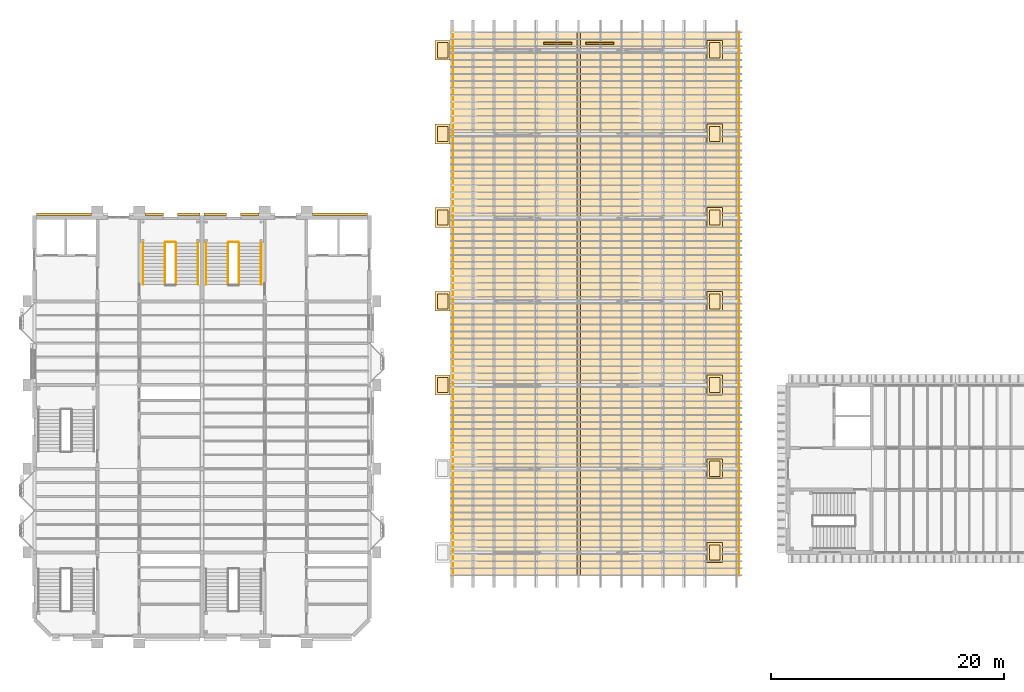
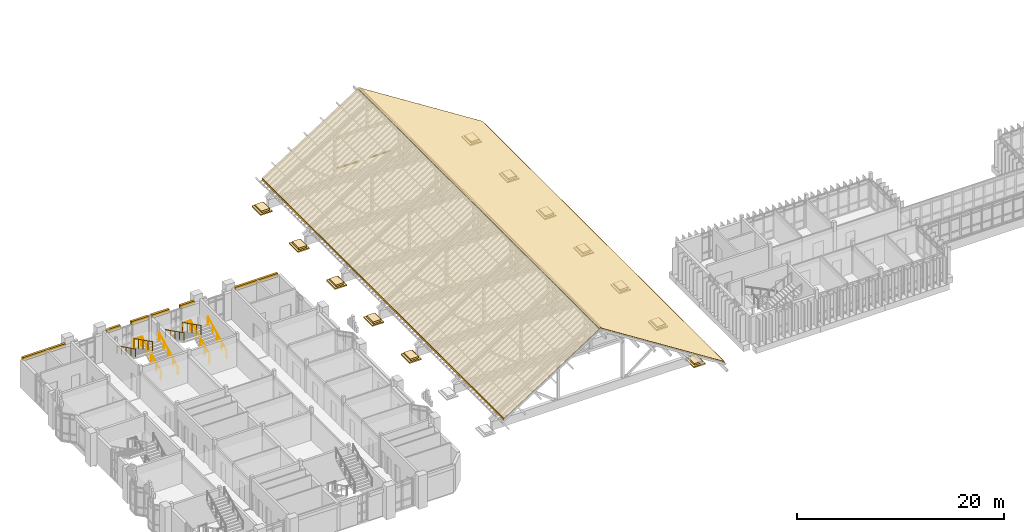
# One storey, part 63 of 71: 37 coverings, 10 railings.
"""IFC4 building model written with IfcOpenShell, lengths in metres."""

from ifc_helpers import new_model, si_unit, direction, frame, origin, origin_2d, place, context, subcontext, project, spatial, polyline, rectangle, circle, outline, extrude, material, layer, layer_set, type_object, element, save


model = new_model("IFC4")

# Units and contexts
model_context = context("Model", 3, precision=1e-05, world=origin(), true_north=direction((0.0, 1.0)))
body_context = subcontext(model_context, "Body", "Model", "MODEL_VIEW")
ifc_project = project(units=[si_unit("LENGTHUNIT", "METRE"), si_unit("AREAUNIT", "SQUARE_METRE"), si_unit("VOLUMEUNIT", "CUBIC_METRE"), si_unit("PLANEANGLEUNIT", "RADIAN"), si_unit("MASSUNIT", "GRAM", prefix="KILO")], contexts=[model_context])

# Site, building, storey
site_placement = place(None, origin())
site = spatial("IfcSite", under=ifc_project, at=site_placement, CompositionType="ELEMENT")
building_placement = place(site_placement, origin())
building = spatial("IfcBuilding", under=site, at=building_placement, Name="Mazhai Court Health Centre", CompositionType="ELEMENT")
storey_placement = place(building_placement, frame((0.0, 0.0, 10.199951171875)))
storey = spatial("IfcBuildingStorey", under=building, at=storey_placement, Name="L02", CompositionType="ELEMENT", Elevation=10.199951171875)

# Coverings
ifc_material_1 = material(Name="Clay brick masonry", Category="masonry")
ifc_layer_1 = layer(ifc_material_1, 0.25)
ifc_layer_set_1 = layer_set([ifc_layer_1], Name="BRICK BAND 250")
covering_type_1 = type_object("IfcCoveringType", Name="BRICK BAND 250", PredefinedType="MOLDING", material=ifc_layer_set_1)
covering_1_placement = place(storey_placement, frame((0.0, 0.0, 2.949951171875)))
element("IfcCovering", 1, at=covering_1_placement, inside=storey, type_object=covering_type_1, Name="EB-V2-L02-Ep0-0", PredefinedType="MOLDING", context=body_context, shape_type="SweptSolid", body=[
    extrude(outline(polyline([(6.364990234375, 42.364990234375), (11.10009765625, 42.364990234375), (11.10009765625, 42.614990234375), (6.364990234375, 42.614990234375), (6.364990234375, 42.364990234375)])), origin(), (0.0, 0.0, 1.0), 0.400146484375),
])
covering_2_placement = place(storey_placement, frame((0.0, 0.0, 2.949951171875)))
element("IfcCovering", 2, at=covering_2_placement, inside=storey, type_object=covering_type_1, Name="EB-V2-L02-Ep1-1", PredefinedType="MOLDING", context=body_context, shape_type="SweptSolid", body=[
    extrude(outline(polyline([(15.699951171875, 42.364990234375), (17.280029296875, 42.364990234375), (17.280029296875, 42.614990234375), (15.699951171875, 42.614990234375), (15.699951171875, 42.364990234375)])), origin(), (0.0, 0.0, 1.0), 0.400146484375),
])
covering_3_placement = place(storey_placement, frame((0.0, 0.0, 2.949951171875)))
element("IfcCovering", 3, at=covering_3_placement, inside=storey, type_object=covering_type_1, Name="EB-V2-L02-Ep2-0", PredefinedType="MOLDING", context=body_context, shape_type="SweptSolid", body=[
    extrude(outline(polyline([(18.47998046875, 42.364990234375), (20.43505859375, 42.364990234375), (20.43505859375, 42.614990234375), (18.47998046875, 42.614990234375), (18.47998046875, 42.364990234375)])), origin(), (0.0, 0.0, 1.0), 0.400146484375),
])
covering_4_placement = place(storey_placement, frame((0.0, 0.0, 2.949951171875)))
element("IfcCovering", 4, at=covering_4_placement, inside=storey, type_object=covering_type_1, Name="EB-V5-L02-Ep0-0", PredefinedType="MOLDING", context=body_context, shape_type="SweptSolid", body=[
    extrude(outline(polyline([(20.764892578125, 42.364990234375), (22.719970703125, 42.364990234375), (22.719970703125, 42.614990234375), (20.764892578125, 42.614990234375), (20.764892578125, 42.364990234375)])), origin(), (0.0, 0.0, 1.0), 0.400146484375),
])
covering_5_placement = place(storey_placement, frame((0.0, 0.0, 2.949951171875)))
element("IfcCovering", 5, at=covering_5_placement, inside=storey, type_object=covering_type_1, Name="EB-V5-L02-Ep1-0", PredefinedType="MOLDING", context=body_context, shape_type="SweptSolid", body=[
    extrude(outline(polyline([(23.919921875, 42.364990234375), (25.5, 42.364990234375), (25.5, 42.614990234375), (23.919921875, 42.614990234375), (23.919921875, 42.364990234375)])), origin(), (0.0, 0.0, 1.0), 0.400146484375),
])
covering_6_placement = place(storey_placement, frame((0.0, 0.0, 2.949951171875)))
element("IfcCovering", 6, at=covering_6_placement, inside=storey, type_object=covering_type_1, Name="EB-V5-L02-Ep2-1", PredefinedType="MOLDING", context=body_context, shape_type="SweptSolid", body=[
    extrude(outline(polyline([(30.10009765625, 42.364990234375), (34.8349609375, 42.364990234375), (34.8349609375, 42.614990234375), (30.10009765625, 42.614990234375), (30.10009765625, 42.364990234375)])), origin(), (0.0, 0.0, 1.0), 0.400146484375),
])
ifc_material_2 = material(Name="Clay brick masonry", Category="masonry")
ifc_layer_2 = layer(ifc_material_2, 0.14990234375)
ifc_layer_set_2 = layer_set([ifc_layer_2], Name="BRICK BUTTRESS CAP 150")
covering_type_2 = type_object("IfcCoveringType", Name="BRICK BUTTRESS CAP 150", PredefinedType="MOLDING", material=ifc_layer_set_2)
covering_7_placement = place(storey_placement, origin())
element("IfcCovering", 7, at=covering_7_placement, inside=storey, type_object=covering_type_2, Name="EC-V1-W2-0", PredefinedType="MOLDING", context=body_context, shape_type="SweptSolid", body=[
    extrude(outline(polyline([(41.93994140625, 26.949951171875), (41.93994140625, 28.64990234375), (40.639892578125, 28.64990234375), (40.639892578125, 26.949951171875), (41.93994140625, 26.949951171875)])), origin(), (0.0, 0.0, 1.0), 0.150146484375),
])
covering_8_placement = place(storey_placement, frame((0.0, 0.0, 0.150146484375)))
element("IfcCovering", 8, at=covering_8_placement, inside=storey, type_object=covering_type_2, Name="EC-V1-W2-1", PredefinedType="MOLDING", context=body_context, shape_type="SweptSolid", body=[
    extrude(outline(polyline([(41.739990234375, 27.14990234375), (41.739990234375, 28.449951171875), (40.840087890625, 28.449951171875), (40.840087890625, 27.14990234375), (41.739990234375, 27.14990234375)])), origin(), (0.0, 0.0, 1.0), 0.199951171875),
])
covering_9_placement = place(storey_placement, origin())
element("IfcCovering", 9, at=covering_9_placement, inside=storey, type_object=covering_type_2, Name="EC-V1-W3-0", PredefinedType="MOLDING", context=body_context, shape_type="SweptSolid", body=[
    extrude(outline(polyline([(41.93994140625, 34.14990234375), (41.93994140625, 35.85009765625), (40.639892578125, 35.85009765625), (40.639892578125, 34.14990234375), (41.93994140625, 34.14990234375)])), origin(), (0.0, 0.0, 1.0), 0.150146484375),
])
covering_10_placement = place(storey_placement, frame((0.0, 0.0, 0.150146484375)))
element("IfcCovering", 10, at=covering_10_placement, inside=storey, type_object=covering_type_2, Name="EC-V1-W3-1", PredefinedType="MOLDING", context=body_context, shape_type="SweptSolid", body=[
    extrude(outline(polyline([(41.739990234375, 34.35009765625), (41.739990234375, 35.64990234375), (40.840087890625, 35.64990234375), (40.840087890625, 34.35009765625), (41.739990234375, 34.35009765625)])), origin(), (0.0, 0.0, 1.0), 0.199951171875),
])
covering_11_placement = place(storey_placement, origin())
element("IfcCovering", 11, at=covering_11_placement, inside=storey, type_object=covering_type_2, Name="EC-V1-W4-0", PredefinedType="MOLDING", context=body_context, shape_type="SweptSolid", body=[
    extrude(outline(polyline([(41.93994140625, 41.35009765625), (41.93994140625, 43.050048828125), (40.639892578125, 43.050048828125), (40.639892578125, 41.35009765625), (41.93994140625, 41.35009765625)])), origin(), (0.0, 0.0, 1.0), 0.150146484375),
])
covering_12_placement = place(storey_placement, frame((0.0, 0.0, 0.150146484375)))
element("IfcCovering", 12, at=covering_12_placement, inside=storey, type_object=covering_type_2, Name="EC-V1-W4-1", PredefinedType="MOLDING", context=body_context, shape_type="SweptSolid", body=[
    extrude(outline(polyline([(41.739990234375, 41.550048828125), (41.739990234375, 42.85009765625), (40.840087890625, 42.85009765625), (40.840087890625, 41.550048828125), (41.739990234375, 41.550048828125)])), origin(), (0.0, 0.0, 1.0), 0.199951171875),
])
covering_13_placement = place(storey_placement, origin())
element("IfcCovering", 13, at=covering_13_placement, inside=storey, type_object=covering_type_2, Name="EC-V1-W5-0", PredefinedType="MOLDING", context=body_context, shape_type="SweptSolid", body=[
    extrude(outline(polyline([(41.93994140625, 48.550048828125), (41.93994140625, 50.25), (40.639892578125, 50.25), (40.639892578125, 48.550048828125), (41.93994140625, 48.550048828125)])), origin(), (0.0, 0.0, 1.0), 0.150146484375),
])
covering_14_placement = place(storey_placement, frame((0.0, 0.0, 0.150146484375)))
element("IfcCovering", 14, at=covering_14_placement, inside=storey, type_object=covering_type_2, Name="EC-V1-W5-1", PredefinedType="MOLDING", context=body_context, shape_type="SweptSolid", body=[
    extrude(outline(polyline([(41.739990234375, 48.75), (41.739990234375, 50.050048828125), (40.840087890625, 50.050048828125), (40.840087890625, 48.75), (41.739990234375, 48.75)])), origin(), (0.0, 0.0, 1.0), 0.199951171875),
])
covering_15_placement = place(storey_placement, origin())
element("IfcCovering", 15, at=covering_15_placement, inside=storey, type_object=covering_type_2, Name="EC-V1-W6-0", PredefinedType="MOLDING", context=body_context, shape_type="SweptSolid", body=[
    extrude(outline(polyline([(41.93994140625, 55.75), (41.93994140625, 57.449951171875), (40.639892578125, 57.449951171875), (40.639892578125, 55.75), (41.93994140625, 55.75)])), origin(), (0.0, 0.0, 1.0), 0.150146484375),
])
covering_16_placement = place(storey_placement, frame((0.0, 0.0, 0.150146484375)))
element("IfcCovering", 16, at=covering_16_placement, inside=storey, type_object=covering_type_2, Name="EC-V1-W6-1", PredefinedType="MOLDING", context=body_context, shape_type="SweptSolid", body=[
    extrude(outline(polyline([(41.739990234375, 55.949951171875), (41.739990234375, 57.25), (40.840087890625, 57.25), (40.840087890625, 55.949951171875), (41.739990234375, 55.949951171875)])), origin(), (0.0, 0.0, 1.0), 0.199951171875),
])
covering_17_placement = place(storey_placement, origin())
element("IfcCovering", 17, at=covering_17_placement, inside=storey, type_object=covering_type_2, Name="EC-V1-E0-0", PredefinedType="MOLDING", context=body_context, shape_type="SweptSolid", body=[
    extrude(outline(polyline([(64.06005859375, 14.25), (64.06005859375, 12.550048828125), (65.360107421875, 12.550048828125), (65.360107421875, 14.25), (64.06005859375, 14.25)])), origin(), (0.0, 0.0, 1.0), 0.150146484375),
])
covering_18_placement = place(storey_placement, frame((0.0, 0.0, 0.150146484375)))
element("IfcCovering", 18, at=covering_18_placement, inside=storey, type_object=covering_type_2, Name="EC-V1-E0-1", PredefinedType="MOLDING", context=body_context, shape_type="SweptSolid", body=[
    extrude(outline(polyline([(64.260009765625, 14.050048828125), (64.260009765625, 12.75), (65.159912109375, 12.75), (65.159912109375, 14.050048828125), (64.260009765625, 14.050048828125)])), origin(), (0.0, 0.0, 1.0), 0.199951171875),
])
covering_19_placement = place(storey_placement, origin())
element("IfcCovering", 19, at=covering_19_placement, inside=storey, type_object=covering_type_2, Name="EC-V1-E1-0", PredefinedType="MOLDING", context=body_context, shape_type="SweptSolid", body=[
    extrude(outline(polyline([(64.06005859375, 21.449951171875), (64.06005859375, 19.75), (65.360107421875, 19.75), (65.360107421875, 21.449951171875), (64.06005859375, 21.449951171875)])), origin(), (0.0, 0.0, 1.0), 0.150146484375),
])
covering_20_placement = place(storey_placement, frame((0.0, 0.0, 0.150146484375)))
element("IfcCovering", 20, at=covering_20_placement, inside=storey, type_object=covering_type_2, Name="EC-V1-E1-1", PredefinedType="MOLDING", context=body_context, shape_type="SweptSolid", body=[
    extrude(outline(polyline([(64.260009765625, 21.25), (64.260009765625, 19.949951171875), (65.159912109375, 19.949951171875), (65.159912109375, 21.25), (64.260009765625, 21.25)])), origin(), (0.0, 0.0, 1.0), 0.199951171875),
])
covering_21_placement = place(storey_placement, origin())
element("IfcCovering", 21, at=covering_21_placement, inside=storey, type_object=covering_type_2, Name="EC-V1-E2-0", PredefinedType="MOLDING", context=body_context, shape_type="SweptSolid", body=[
    extrude(outline(polyline([(64.06005859375, 28.64990234375), (64.06005859375, 26.949951171875), (65.360107421875, 26.949951171875), (65.360107421875, 28.64990234375), (64.06005859375, 28.64990234375)])), origin(), (0.0, 0.0, 1.0), 0.150146484375),
])
covering_22_placement = place(storey_placement, frame((0.0, 0.0, 0.150146484375)))
element("IfcCovering", 22, at=covering_22_placement, inside=storey, type_object=covering_type_2, Name="EC-V1-E2-1", PredefinedType="MOLDING", context=body_context, shape_type="SweptSolid", body=[
    extrude(outline(polyline([(64.260009765625, 28.449951171875), (64.260009765625, 27.14990234375), (65.159912109375, 27.14990234375), (65.159912109375, 28.449951171875), (64.260009765625, 28.449951171875)])), origin(), (0.0, 0.0, 1.0), 0.199951171875),
])
covering_23_placement = place(storey_placement, origin())
element("IfcCovering", 23, at=covering_23_placement, inside=storey, type_object=covering_type_2, Name="EC-V1-E3-0", PredefinedType="MOLDING", context=body_context, shape_type="SweptSolid", body=[
    extrude(outline(polyline([(64.06005859375, 35.85009765625), (64.06005859375, 34.14990234375), (65.360107421875, 34.14990234375), (65.360107421875, 35.85009765625), (64.06005859375, 35.85009765625)])), origin(), (0.0, 0.0, 1.0), 0.150146484375),
])
covering_24_placement = place(storey_placement, frame((0.0, 0.0, 0.150146484375)))
element("IfcCovering", 24, at=covering_24_placement, inside=storey, type_object=covering_type_2, Name="EC-V1-E3-1", PredefinedType="MOLDING", context=body_context, shape_type="SweptSolid", body=[
    extrude(outline(polyline([(64.260009765625, 35.64990234375), (64.260009765625, 34.35009765625), (65.159912109375, 34.35009765625), (65.159912109375, 35.64990234375), (64.260009765625, 35.64990234375)])), origin(), (0.0, 0.0, 1.0), 0.199951171875),
])
covering_25_placement = place(storey_placement, origin())
element("IfcCovering", 25, at=covering_25_placement, inside=storey, type_object=covering_type_2, Name="EC-V1-E4-0", PredefinedType="MOLDING", context=body_context, shape_type="SweptSolid", body=[
    extrude(outline(polyline([(64.06005859375, 43.050048828125), (64.06005859375, 41.35009765625), (65.360107421875, 41.35009765625), (65.360107421875, 43.050048828125), (64.06005859375, 43.050048828125)])), origin(), (0.0, 0.0, 1.0), 0.150146484375),
])
covering_26_placement = place(storey_placement, frame((0.0, 0.0, 0.150146484375)))
element("IfcCovering", 26, at=covering_26_placement, inside=storey, type_object=covering_type_2, Name="EC-V1-E4-1", PredefinedType="MOLDING", context=body_context, shape_type="SweptSolid", body=[
    extrude(outline(polyline([(64.260009765625, 42.85009765625), (64.260009765625, 41.550048828125), (65.159912109375, 41.550048828125), (65.159912109375, 42.85009765625), (64.260009765625, 42.85009765625)])), origin(), (0.0, 0.0, 1.0), 0.199951171875),
])
covering_27_placement = place(storey_placement, origin())
element("IfcCovering", 27, at=covering_27_placement, inside=storey, type_object=covering_type_2, Name="EC-V1-E5-0", PredefinedType="MOLDING", context=body_context, shape_type="SweptSolid", body=[
    extrude(outline(polyline([(64.06005859375, 50.25), (64.06005859375, 48.550048828125), (65.360107421875, 48.550048828125), (65.360107421875, 50.25), (64.06005859375, 50.25)])), origin(), (0.0, 0.0, 1.0), 0.150146484375),
])
covering_28_placement = place(storey_placement, frame((0.0, 0.0, 0.150146484375)))
element("IfcCovering", 28, at=covering_28_placement, inside=storey, type_object=covering_type_2, Name="EC-V1-E5-1", PredefinedType="MOLDING", context=body_context, shape_type="SweptSolid", body=[
    extrude(outline(polyline([(64.260009765625, 50.050048828125), (64.260009765625, 48.75), (65.159912109375, 48.75), (65.159912109375, 50.050048828125), (64.260009765625, 50.050048828125)])), origin(), (0.0, 0.0, 1.0), 0.199951171875),
])
covering_29_placement = place(storey_placement, origin())
element("IfcCovering", 29, at=covering_29_placement, inside=storey, type_object=covering_type_2, Name="EC-V1-E6-0", PredefinedType="MOLDING", context=body_context, shape_type="SweptSolid", body=[
    extrude(outline(polyline([(64.06005859375, 57.449951171875), (64.06005859375, 55.75), (65.360107421875, 55.75), (65.360107421875, 57.449951171875), (64.06005859375, 57.449951171875)])), origin(), (0.0, 0.0, 1.0), 0.150146484375),
])
covering_30_placement = place(storey_placement, frame((0.0, 0.0, 0.150146484375)))
element("IfcCovering", 30, at=covering_30_placement, inside=storey, type_object=covering_type_2, Name="EC-V1-E6-1", PredefinedType="MOLDING", context=body_context, shape_type="SweptSolid", body=[
    extrude(outline(polyline([(64.260009765625, 57.25), (64.260009765625, 55.949951171875), (65.159912109375, 55.949951171875), (65.159912109375, 57.25), (64.260009765625, 57.25)])), origin(), (0.0, 0.0, 1.0), 0.199951171875),
])
ifc_material_3 = material(Name="Clay brick masonry", Category="masonry")
ifc_layer_3 = layer(ifc_material_3, 0.14990234375)
ifc_layer_set_3 = layer_set([ifc_layer_3], Name="BRICK SILL COURSE 150")
covering_type_3 = type_object("IfcCoveringType", Name="BRICK SILL COURSE 150", PredefinedType="MOLDING", material=ifc_layer_set_3)
covering_31_placement = place(storey_placement, frame((0.0, 0.0, 1.380126953125)))
element("IfcCovering", 31, at=covering_31_placement, inside=storey, type_object=covering_type_3, Name="ES-WN-V1-L01-N-18u", PredefinedType="MOLDING", context=body_context, shape_type="SweptSolid", body=[
    extrude(outline(polyline([(50.0, 57.1298828125), (52.39990234375, 57.1298828125), (52.39990234375, 57.280029296875), (50.0, 57.280029296875), (50.0, 57.1298828125)])), origin(), (0.0, 0.0, 1.0), 0.119873046875),
])
covering_32_placement = place(storey_placement, frame((0.0, 0.0, 1.380126953125)))
element("IfcCovering", 32, at=covering_32_placement, inside=storey, type_object=covering_type_3, Name="ES-WN-V1-L01-N18u", PredefinedType="MOLDING", context=body_context, shape_type="SweptSolid", body=[
    extrude(outline(polyline([(53.60009765625, 57.1298828125), (56.0, 57.1298828125), (56.0, 57.280029296875), (53.60009765625, 57.280029296875), (53.60009765625, 57.1298828125)])), origin(), (0.0, 0.0, 1.0), 0.119873046875),
])
ifc_material_4 = material(Name="Clay roof tile")
ifc_layer_4 = layer(ifc_material_4, 0.10009765625)
ifc_layer_set_4 = layer_set([ifc_layer_4], Name="ROOFING CLAY ROOF TILE 100")
covering_type_4 = type_object("IfcCoveringType", Name="ROOFING CLAY ROOF TILE 100", PredefinedType="MOLDING", material=ifc_layer_set_4)
covering_33_placement = place(storey_placement, frame((53.0, 34.800048828125, 9.261474609375), z_axis=(0.0, 0.0, 1.0), x_axis=(1.0, 0.0, 0.0)))
element("IfcCovering", 33, at=covering_33_placement, inside=storey, type_object=covering_type_4, Name="Ridge cap RV1-RG1", PredefinedType="MOLDING", context=body_context, shape_type="SweptSolid", body=[
    extrude(rectangle(XDim=0.300048828125, YDim=46.800048828125, at=origin_2d()), origin(), (0.0, 0.0, 1.0), 0.10009765625),
])
ifc_material_5 = material(Name="Larch fascia board", Category="wood")
ifc_layer_5 = layer(ifc_material_5, 0.02490234375)
ifc_layer_set_5 = layer_set([ifc_layer_5], Name="ROOFING CLAY ROOF TILE 25")
covering_type_5 = type_object("IfcCoveringType", Name="ROOFING CLAY ROOF TILE 25", PredefinedType="MOLDING", material=ifc_layer_set_5)
covering_34_placement = place(storey_placement, frame((0.0, 0.0, 2.186767578125)))
element("IfcCovering", 34, at=covering_34_placement, inside=storey, type_object=covering_type_5, Name="Fascia board RV1-FB1", PredefinedType="MOLDING", context=body_context, shape_type="SweptSolid", body=[
    extrude(outline(polyline([(42.219970703125, 11.39990234375), (42.219970703125, 58.199951171875), (42.175048828125, 58.199951171875), (42.175048828125, 11.39990234375), (42.219970703125, 11.39990234375)])), origin(), (0.0, 0.0, 1.0), 0.25),
])
covering_35_placement = place(storey_placement, frame((0.0, 0.0, 0.273681640625)))
element("IfcCovering", 35, at=covering_35_placement, inside=storey, type_object=covering_type_5, Name="Fascia board RV1-FB2", PredefinedType="MOLDING", context=body_context, shape_type="SweptSolid", body=[
    extrude(outline(polyline([(66.780029296875, 58.199951171875), (66.780029296875, 11.39990234375), (66.824951171875, 11.39990234375), (66.824951171875, 58.199951171875), (66.780029296875, 58.199951171875)])), origin(), (0.0, 0.0, 1.0), 0.25),
])
ifc_material_6 = material(Name="Clay roof tile")
ifc_layer_6 = layer(ifc_material_6, 0.030029296875)
ifc_layer_set_6 = layer_set([ifc_layer_6], Name="ROOFING CLAY ROOF TILE 30")
covering_type_6 = type_object("IfcCoveringType", Name="ROOFING CLAY ROOF TILE 30", PredefinedType="ROOFING", material=ifc_layer_set_6)
covering_36_placement = place(storey_placement, frame((42.199951171875, 11.39990234375, 2.436767578125), z_axis=(-0.53765605873, 0.0, 0.84316425595), x_axis=(0.84316425595, 0.0, 0.53765605873)))
element("IfcCovering", 36, at=covering_36_placement, inside=storey, type_object=covering_type_6, Name="Roof covering RV1-RC1", PredefinedType="ROOFING", context=body_context, shape_type="SweptSolid", body=[
    extrude(outline(polyline([(0.0, 0.0), (12.726137918751157, 0.0), (12.726137918751157, 46.800048828125), (0.0, 46.800048828125), (0.0, 0.0)])), origin(), (0.0, 0.0, -1.0), 0.030029296875),
])
covering_37_placement = place(storey_placement, frame((66.800048828125, 11.39990234375, 0.523681640625), z_axis=(0.537660071772, 0.0, 0.843161696961), x_axis=(0.0, 1.0, 0.0)))
element("IfcCovering", 37, at=covering_37_placement, inside=storey, type_object=covering_type_6, Name="Roof covering RV1-RC2", PredefinedType="ROOFING", context=body_context, shape_type="SweptSolid", body=[
    extrude(outline(polyline([(0.0, 0.0), (46.800048828125, 0.0), (46.800048828125, 16.284212931952222), (0.0, 16.284212931952222), (0.0, 0.0)])), origin(), (0.0, 0.0, -1.0), 0.030029296875),
])

# Railings
ifc_material_7 = material(Name="Steel IS 2062 E250", Category="steel")
railing_type_1 = type_object("IfcRailingType", Name="STAIR GUARD 1100", PredefinedType="GUARDRAIL", material=ifc_material_7)
railing_1_placement = place(storey_placement, frame((18.35498046875, 36.43505859375, 0.150146484375)))
element("IfcRailing", 38, at=railing_1_placement, inside=storey, type_object=railing_type_1, Name="L02 ST3 stair guard 1", PredefinedType="GUARDRAIL", context=body_context, shape_type="SweptSolid", body=[
    extrude(circle(Radius=0.02392578125, at=origin_2d()), frame((0.0, 0.0, 1.076171875), z_axis=(0.0, 0.894439322774, 0.447189331129), x_axis=(-1.0, 0.0, 0.0)), (0.0, 0.0, 1.0), 4.024658203125),
    extrude(circle(Radius=0.02099609375, at=origin_2d()), origin(), (0.0, 0.0, 1.0), 1.052001953125),
    extrude(circle(Radius=0.02099609375, at=origin_2d()), frame((0.0, 0.89990234375, 0.449951171875)), (0.0, 0.0, 1.0), 1.052001953125),
    extrude(circle(Radius=0.02099609375, at=origin_2d()), frame((0.0, 1.7998046875, 0.89990234375)), (0.0, 0.0, 1.0), 1.052001953125),
    extrude(circle(Radius=0.02099609375, at=origin_2d()), frame((0.0, 2.699951171875, 1.349853515625)), (0.0, 0.0, 1.0), 1.052001953125),
    extrude(circle(Radius=0.02099609375, at=origin_2d()), frame((0.0, 3.599853515625, 1.7998046875)), (0.0, 0.0, 1.0), 1.052001953125),
])
railing_2_placement = place(storey_placement, frame((18.304931640625, 40.0849609375, 1.949951171875)))
element("IfcRailing", 39, at=railing_2_placement, inside=storey, type_object=railing_type_1, Name="L02 ST3 stair guard 2", PredefinedType="GUARDRAIL", context=body_context, shape_type="SweptSolid", body=[
    extrude(circle(Radius=0.02392578125, at=origin_2d()), frame((0.0, 0.0, 1.076171875), z_axis=(-1.0, 0.0, 0.0), x_axis=(0.0, -1.0, 0.0)), (0.0, 0.0, 1.0), 0.849853515625),
    extrude(circle(Radius=0.02099609375, at=origin_2d()), origin(), (0.0, 0.0, 1.0), 1.052001953125),
    extrude(circle(Radius=0.02099609375, at=origin_2d()), frame((-0.849853515625, 0.0, 0.0)), (0.0, 0.0, 1.0), 1.052001953125),
])
railing_3_placement = place(storey_placement, frame((17.405029296875, 40.034912109375, 2.10009765625)))
element("IfcRailing", 40, at=railing_3_placement, inside=storey, type_object=railing_type_1, Name="L02 ST3 stair guard 3", PredefinedType="GUARDRAIL", context=body_context, shape_type="SweptSolid", body=[
    extrude(circle(Radius=0.02392578125, at=origin_2d()), frame((0.0, 0.0, 1.076171875), z_axis=(0.0, -0.894415058897, 0.447237858884), x_axis=(1.0, 0.0, 0.0)), (0.0, 0.0, 1.0), 4.02490234375),
    extrude(circle(Radius=0.02099609375, at=origin_2d()), origin(), (0.0, 0.0, 1.0), 1.052001953125),
    extrude(circle(Radius=0.02099609375, at=origin_2d()), frame((0.0, -0.89990234375, 0.449951171875)), (0.0, 0.0, 1.0), 1.052001953125),
    extrude(circle(Radius=0.02099609375, at=origin_2d()), frame((0.0, -1.7998046875, 0.89990234375)), (0.0, 0.0, 1.0), 1.052001953125),
    extrude(circle(Radius=0.02099609375, at=origin_2d()), frame((0.0, -2.699951171875, 1.35009765625)), (0.0, 0.0, 1.0), 1.052001953125),
    extrude(circle(Radius=0.02099609375, at=origin_2d()), frame((0.0, -3.599853515625, 1.800048828125)), (0.0, 0.0, 1.0), 1.052001953125),
])
railing_4_placement = place(storey_placement, frame((23.794921875, 36.43505859375, 0.150146484375)))
element("IfcRailing", 41, at=railing_4_placement, inside=storey, type_object=railing_type_1, Name="L02 ST5 stair guard 1", PredefinedType="GUARDRAIL", context=body_context, shape_type="SweptSolid", body=[
    extrude(circle(Radius=0.02392578125, at=origin_2d()), frame((0.0, 0.0, 1.076171875), z_axis=(0.0, 0.894439322774, 0.447189331129), x_axis=(-1.0, 0.0, 0.0)), (0.0, 0.0, 1.0), 4.024658203125),
    extrude(circle(Radius=0.02099609375, at=origin_2d()), origin(), (0.0, 0.0, 1.0), 1.052001953125),
    extrude(circle(Radius=0.02099609375, at=origin_2d()), frame((0.0, 0.89990234375, 0.449951171875)), (0.0, 0.0, 1.0), 1.052001953125),
    extrude(circle(Radius=0.02099609375, at=origin_2d()), frame((0.0, 1.7998046875, 0.89990234375)), (0.0, 0.0, 1.0), 1.052001953125),
    extrude(circle(Radius=0.02099609375, at=origin_2d()), frame((0.0, 2.699951171875, 1.349853515625)), (0.0, 0.0, 1.0), 1.052001953125),
    extrude(circle(Radius=0.02099609375, at=origin_2d()), frame((0.0, 3.599853515625, 1.7998046875)), (0.0, 0.0, 1.0), 1.052001953125),
])
railing_5_placement = place(storey_placement, frame((23.7451171875, 40.0849609375, 1.949951171875)))
element("IfcRailing", 42, at=railing_5_placement, inside=storey, type_object=railing_type_1, Name="L02 ST5 stair guard 2", PredefinedType="GUARDRAIL", context=body_context, shape_type="SweptSolid", body=[
    extrude(circle(Radius=0.02392578125, at=origin_2d()), frame((0.0, 0.0, 1.076171875), z_axis=(-1.0, 0.0, 0.0), x_axis=(0.0, -1.0, 0.0)), (0.0, 0.0, 1.0), 0.85009765625),
    extrude(circle(Radius=0.02099609375, at=origin_2d()), origin(), (0.0, 0.0, 1.0), 1.052001953125),
    extrude(circle(Radius=0.02099609375, at=origin_2d()), frame((-0.85009765625, 0.0, 0.0)), (0.0, 0.0, 1.0), 1.052001953125),
])
railing_6_placement = place(storey_placement, frame((22.844970703125, 40.034912109375, 2.10009765625)))
element("IfcRailing", 43, at=railing_6_placement, inside=storey, type_object=railing_type_1, Name="L02 ST5 stair guard 3", PredefinedType="GUARDRAIL", context=body_context, shape_type="SweptSolid", body=[
    extrude(circle(Radius=0.02392578125, at=origin_2d()), frame((0.0, 0.0, 1.076171875), z_axis=(0.0, -0.894415058897, 0.447237858884), x_axis=(1.0, 0.0, 0.0)), (0.0, 0.0, 1.0), 4.02490234375),
    extrude(circle(Radius=0.02099609375, at=origin_2d()), origin(), (0.0, 0.0, 1.0), 1.052001953125),
    extrude(circle(Radius=0.02099609375, at=origin_2d()), frame((0.0, -0.89990234375, 0.449951171875)), (0.0, 0.0, 1.0), 1.052001953125),
    extrude(circle(Radius=0.02099609375, at=origin_2d()), frame((0.0, -1.7998046875, 0.89990234375)), (0.0, 0.0, 1.0), 1.052001953125),
    extrude(circle(Radius=0.02099609375, at=origin_2d()), frame((0.0, -2.699951171875, 1.35009765625)), (0.0, 0.0, 1.0), 1.052001953125),
    extrude(circle(Radius=0.02099609375, at=origin_2d()), frame((0.0, -3.599853515625, 1.800048828125)), (0.0, 0.0, 1.0), 1.052001953125),
])
ifc_material_8 = material(Name="Steel IS 2062 E250", Category="steel")
railing_type_2 = type_object("IfcRailingType", Name="STAIR HANDRAIL 900", PredefinedType="HANDRAIL", material=ifc_material_8)
railing_7_placement = place(storey_placement, frame((20.2548828125, 36.43505859375, 0.150146484375)))
element("IfcRailing", 44, at=railing_7_placement, inside=storey, type_object=railing_type_2, Name="L02 ST3 stair handrail 1", PredefinedType="HANDRAIL", context=body_context, shape_type="SweptSolid", body=[
    extrude(circle(Radius=0.02392578125, at=origin_2d()), frame((0.0, 0.0, 0.8759765625), z_axis=(0.0, 0.894439322774, 0.447189331129), x_axis=(-1.0, 0.0, 0.0)), (0.0, 0.0, 1.0), 4.024658203125),
    extrude(circle(Radius=0.02099609375, at=origin_2d()), origin(), (0.0, 0.0, 1.0), 0.851806640625),
    extrude(circle(Radius=0.02099609375, at=origin_2d()), frame((0.0, 0.89990234375, 0.449951171875)), (0.0, 0.0, 1.0), 0.851806640625),
    extrude(circle(Radius=0.02099609375, at=origin_2d()), frame((0.0, 1.7998046875, 0.89990234375)), (0.0, 0.0, 1.0), 0.851806640625),
    extrude(circle(Radius=0.02099609375, at=origin_2d()), frame((0.0, 2.699951171875, 1.349853515625)), (0.0, 0.0, 1.0), 0.851806640625),
    extrude(circle(Radius=0.02099609375, at=origin_2d()), frame((0.0, 3.599853515625, 1.7998046875)), (0.0, 0.0, 1.0), 0.851806640625),
])
railing_8_placement = place(storey_placement, frame((15.5048828125, 40.034912109375, 2.10009765625)))
element("IfcRailing", 45, at=railing_8_placement, inside=storey, type_object=railing_type_2, Name="L02 ST3 stair handrail 2", PredefinedType="HANDRAIL", context=body_context, shape_type="SweptSolid", body=[
    extrude(circle(Radius=0.02392578125, at=origin_2d()), frame((0.0, 0.0, 0.8759765625), z_axis=(0.0, -0.894415058897, 0.447237858884), x_axis=(1.0, 0.0, 0.0)), (0.0, 0.0, 1.0), 4.02490234375),
    extrude(circle(Radius=0.02099609375, at=origin_2d()), origin(), (0.0, 0.0, 1.0), 0.851806640625),
    extrude(circle(Radius=0.02099609375, at=origin_2d()), frame((0.0, -0.89990234375, 0.449951171875)), (0.0, 0.0, 1.0), 0.851806640625),
    extrude(circle(Radius=0.02099609375, at=origin_2d()), frame((0.0, -1.7998046875, 0.89990234375)), (0.0, 0.0, 1.0), 0.851806640625),
    extrude(circle(Radius=0.02099609375, at=origin_2d()), frame((0.0, -2.699951171875, 1.35009765625)), (0.0, 0.0, 1.0), 0.851806640625),
    extrude(circle(Radius=0.02099609375, at=origin_2d()), frame((0.0, -3.599853515625, 1.800048828125)), (0.0, 0.0, 1.0), 0.851806640625),
])
railing_9_placement = place(storey_placement, frame((25.695068359375, 36.43505859375, 0.150146484375)))
element("IfcRailing", 46, at=railing_9_placement, inside=storey, type_object=railing_type_2, Name="L02 ST5 stair handrail 1", PredefinedType="HANDRAIL", context=body_context, shape_type="SweptSolid", body=[
    extrude(circle(Radius=0.02392578125, at=origin_2d()), frame((0.0, 0.0, 0.8759765625), z_axis=(0.0, 0.894439322774, 0.447189331129), x_axis=(-1.0, 0.0, 0.0)), (0.0, 0.0, 1.0), 4.024658203125),
    extrude(circle(Radius=0.02099609375, at=origin_2d()), origin(), (0.0, 0.0, 1.0), 0.851806640625),
    extrude(circle(Radius=0.02099609375, at=origin_2d()), frame((0.0, 0.89990234375, 0.449951171875)), (0.0, 0.0, 1.0), 0.851806640625),
    extrude(circle(Radius=0.02099609375, at=origin_2d()), frame((0.0, 1.7998046875, 0.89990234375)), (0.0, 0.0, 1.0), 0.851806640625),
    extrude(circle(Radius=0.02099609375, at=origin_2d()), frame((0.0, 2.699951171875, 1.349853515625)), (0.0, 0.0, 1.0), 0.851806640625),
    extrude(circle(Radius=0.02099609375, at=origin_2d()), frame((0.0, 3.599853515625, 1.7998046875)), (0.0, 0.0, 1.0), 0.851806640625),
])
railing_10_placement = place(storey_placement, frame((20.945068359375, 40.034912109375, 2.10009765625)))
element("IfcRailing", 47, at=railing_10_placement, inside=storey, type_object=railing_type_2, Name="L02 ST5 stair handrail 2", PredefinedType="HANDRAIL", context=body_context, shape_type="SweptSolid", body=[
    extrude(circle(Radius=0.02392578125, at=origin_2d()), frame((0.0, 0.0, 0.8759765625), z_axis=(0.0, -0.894415058897, 0.447237858884), x_axis=(1.0, 0.0, 0.0)), (0.0, 0.0, 1.0), 4.02490234375),
    extrude(circle(Radius=0.02099609375, at=origin_2d()), origin(), (0.0, 0.0, 1.0), 0.851806640625),
    extrude(circle(Radius=0.02099609375, at=origin_2d()), frame((0.0, -0.89990234375, 0.449951171875)), (0.0, 0.0, 1.0), 0.851806640625),
    extrude(circle(Radius=0.02099609375, at=origin_2d()), frame((0.0, -1.7998046875, 0.89990234375)), (0.0, 0.0, 1.0), 0.851806640625),
    extrude(circle(Radius=0.02099609375, at=origin_2d()), frame((0.0, -2.699951171875, 1.35009765625)), (0.0, 0.0, 1.0), 0.851806640625),
    extrude(circle(Radius=0.02099609375, at=origin_2d()), frame((0.0, -3.599853515625, 1.800048828125)), (0.0, 0.0, 1.0), 0.851806640625),
])

save(model, "model.ifc")
